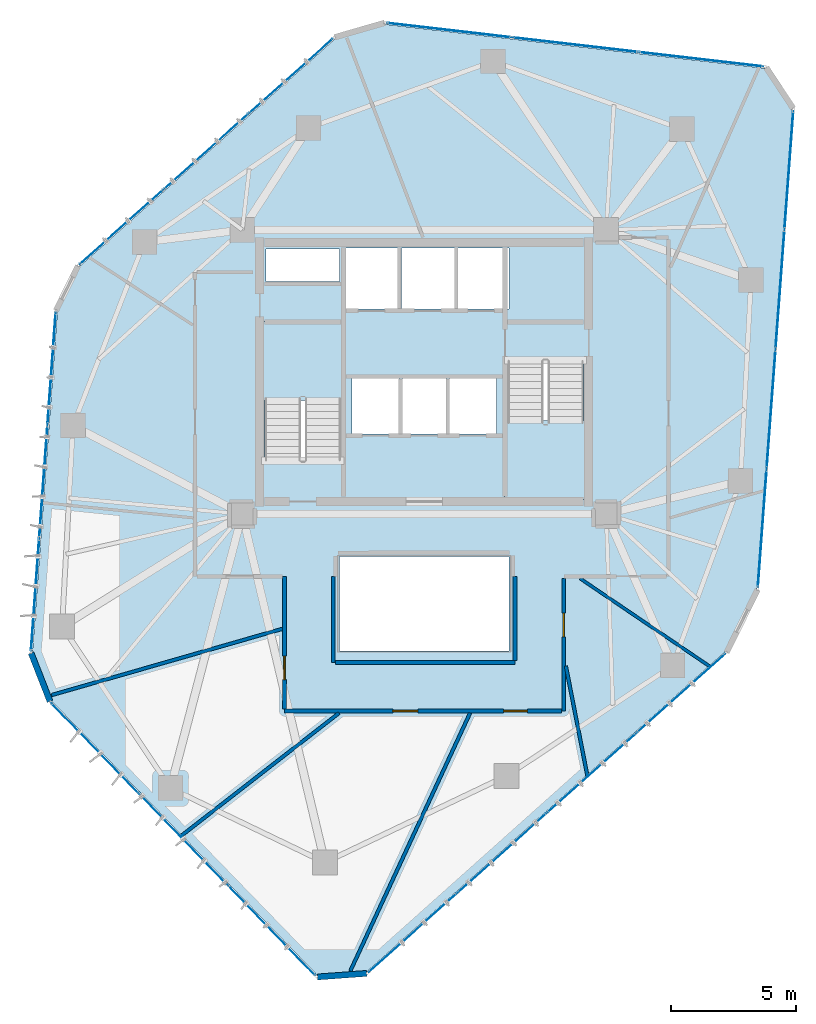
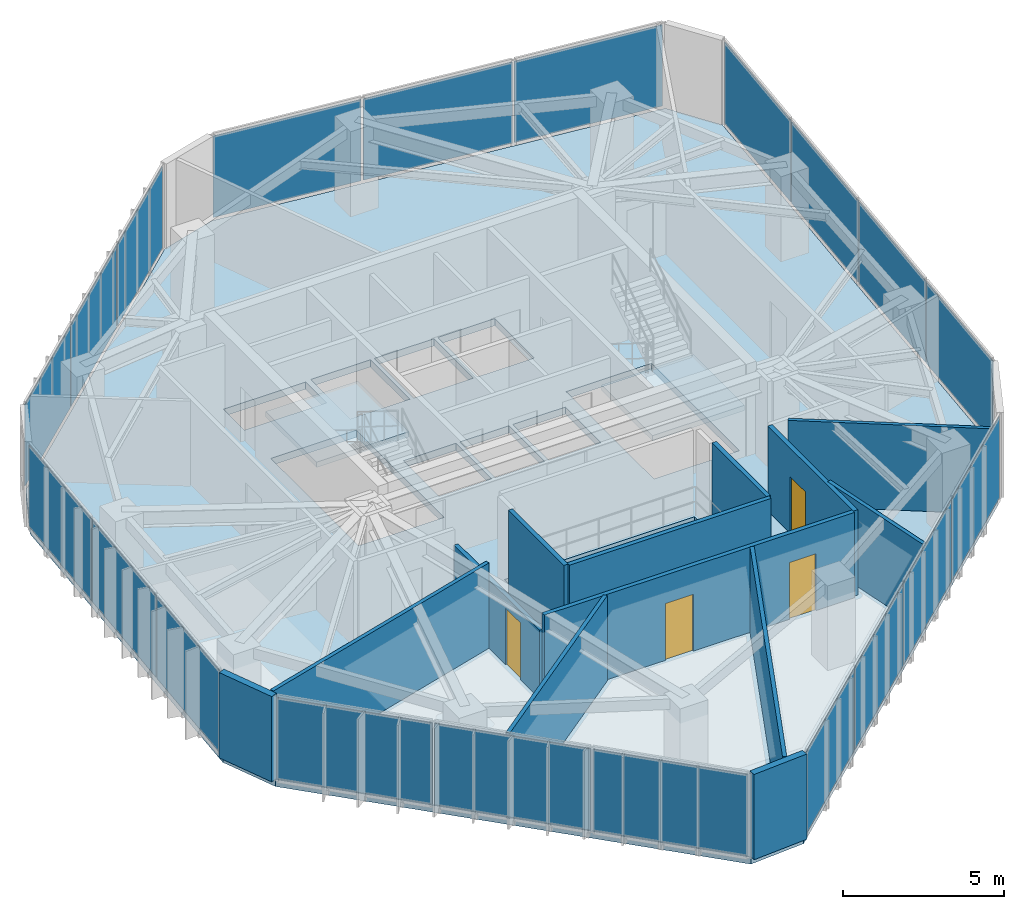
# One storey, part 15 of 19: 20 plates, 13 walls, 4 doors, 3 slabs, 4 openings, 8 elements without a shape of their own.
"""IFC4 building model written with IfcOpenShell, lengths in metres."""

from ifc_helpers import new_model, si_unit, direction, frame, frame_2d, origin, origin_2d, place, context, subcontext, project, spatial, polyline, rectangle, outline, extrude, source, transform, mapped, material, layer, layer_set, type_object, type_shapes, element, fill, aggregate, save


model = new_model("IFC4")

# Units and contexts
model_context = context("Model", 3, precision=1e-05, world=origin(), true_north=direction((0.0, 1.0)))
body_context = subcontext(model_context, "Body", "Model", "MODEL_VIEW")
ifc_project = project(units=[si_unit("LENGTHUNIT", "METRE"), si_unit("AREAUNIT", "SQUARE_METRE"), si_unit("VOLUMEUNIT", "CUBIC_METRE"), si_unit("PLANEANGLEUNIT", "RADIAN"), si_unit("MASSUNIT", "GRAM", prefix="KILO")], contexts=[model_context])

# Site, building, storey
site_placement = place(None, origin())
site = spatial("IfcSite", under=ifc_project, at=site_placement, CompositionType="ELEMENT")
building_placement = place(site_placement, origin())
building = spatial("IfcBuilding", under=site, at=building_placement, Name="Talar Marvaseh", CompositionType="ELEMENT")
storey_placement = place(building_placement, frame((0.0, 0.0, 222.199951171875)))
storey = spatial("IfcBuildingStorey", under=building, at=storey_placement, Name="L58", CompositionType="ELEMENT", Elevation=222.199951171875)

# Stair, slab
ifc_material_1 = material(Name="Concrete C40/50", Category="concrete")
stair_type = type_object("IfcStairType", Name="Reinforced Concrete High-Rise Exit Stair Type C", PredefinedType="HALF_TURN_STAIR", material=ifc_material_1)
stair_1_placement = place(storey_placement, origin())
stair_1 = element("IfcStair", 1, at=stair_1_placement, inside=storey, type_object=stair_type, Name="L58 Tower West Core Exit Stair", PredefinedType="HALF_TURN_STAIR")
ifc_layer_1 = layer(ifc_material_1, 0.199951171875)
ifc_layer_set_1 = layer_set([ifc_layer_1], Name="Concrete C40/50")
slab_type_1 = type_object("IfcSlabType", Name="Reinforced Concrete Stair Half-Landing Slab 200", PredefinedType="LANDING", material=ifc_layer_set_1)
slab_1_placement = place(storey_placement, frame((0.0, 0.0, 1.550048828125)))
slab_1 = element("IfcSlab", 2, at=slab_1_placement, type_object=slab_type_1, Name="ST-1 landing 1", PredefinedType="LANDING", context=body_context, shape_type="SweptSolid", body=[
    extrude(outline(polyline([(22.780029296875, 30.050048828125), (22.780029296875, 33.219970703125), (19.47998046875, 33.219970703125), (19.47998046875, 30.050048828125), (22.780029296875, 30.050048828125)])), origin(), (0.0, 0.0, 1.0), 0.199951171875),
])
aggregate(stair_1, [slab_1])

stair_2_placement = place(storey_placement, origin())
stair_2 = element("IfcStair", 3, at=stair_2_placement, inside=storey, type_object=stair_type, Name="L58 Tower East Core Exit Stair", PredefinedType="HALF_TURN_STAIR")
slab_2_placement = place(storey_placement, frame((0.0, 0.0, 1.550048828125)))
slab_2 = element("IfcSlab", 4, at=slab_2_placement, type_object=slab_type_1, Name="ST-2 landing 1", PredefinedType="LANDING", context=body_context, shape_type="SweptSolid", body=[
    extrude(outline(polyline([(29.219970703125, 29.25), (29.219970703125, 26.080078125), (32.52001953125, 26.080078125), (32.52001953125, 29.25), (29.219970703125, 29.25)])), origin(), (0.0, 0.0, 1.0), 0.199951171875),
])
aggregate(stair_2, [slab_2])

# Slab
ifc_layer_2 = layer(ifc_material_1, 0.27001953125)
ifc_layer_set_2 = layer_set([ifc_layer_2], Name="Concrete C40/50")
slab_type_2 = type_object("IfcSlabType", Name="Structural Suspended Floor Slab 270", PredefinedType="FLOOR", material=ifc_layer_set_2)
slab_3_placement = place(storey_placement, frame((0.0, 0.0, -0.27001953125)))
element("IfcSlab", 5, at=slab_3_placement, inside=storey, type_object=slab_type_2, Name="L58 Tower Floor Slab", PredefinedType="FLOOR", context=body_context, shape_type="SweptSolid", body=[
    extrude(outline(polyline([(23.689453125, 7.128662109375), (21.716796875, 6.984619140625), (11.04296875, 18.000732421875), (10.28173828125, 19.945556640625), (11.283203125, 33.640869140625), (12.169189453125, 35.437255859375), (22.424560546875, 44.56884765625), (24.430908203125, 45.14892578125), (39.66845703125, 43.386962890625), (40.7548828125, 41.734375), (39.322509765625, 22.49951171875), (38.077392578125, 19.974609375), (23.689453125, 7.128662109375)]), holes=[polyline([(22.659912109375, 27.64990234375), (22.659912109375, 33.10009765625), (19.60009765625, 33.10009765625), (19.60009765625, 27.64990234375), (22.659912109375, 27.64990234375)]), polyline([(29.340087890625, 31.64990234375), (29.340087890625, 26.199951171875), (32.39990234375, 26.199951171875), (32.39990234375, 31.64990234375), (29.340087890625, 31.64990234375)]), polyline([(22.800048828125, 33.719970703125), (24.93994140625, 33.719970703125), (24.93994140625, 36.179931640625), (22.800048828125, 36.179931640625), (22.800048828125, 33.719970703125)]), polyline([(25.080078125, 33.719970703125), (27.219970703125, 33.719970703125), (27.219970703125, 36.179931640625), (25.080078125, 36.179931640625), (25.080078125, 33.719970703125)]), polyline([(27.360107421875, 33.719970703125), (29.39990234375, 33.719970703125), (29.39990234375, 36.179931640625), (27.360107421875, 36.179931640625), (27.360107421875, 33.719970703125)]), polyline([(23.10009765625, 28.719970703125), (24.97998046875, 28.719970703125), (24.97998046875, 30.93994140625), (23.10009765625, 30.93994140625), (23.10009765625, 28.719970703125)]), polyline([(25.1201171875, 28.719970703125), (26.8798828125, 28.719970703125), (26.8798828125, 30.93994140625), (25.1201171875, 30.93994140625), (25.1201171875, 28.719970703125)]), polyline([(27.02001953125, 28.719970703125), (28.89990234375, 28.719970703125), (28.89990234375, 30.93994140625), (27.02001953125, 30.93994140625), (27.02001953125, 28.719970703125)]), polyline([(19.659912109375, 34.840087890625), (22.60009765625, 34.840087890625), (22.60009765625, 36.139892578125), (19.659912109375, 36.139892578125), (19.659912109375, 34.840087890625)]), polyline([(22.60009765625, 20.0), (29.39990234375, 20.0), (29.39990234375, 23.800048828125), (22.60009765625, 23.800048828125), (22.60009765625, 20.0)])]), origin(), (0.0, 0.0, 1.0), 0.27001953125),
])

# Curtain wall, plates
ifc_material_2 = material(Name="Architectural Aluminium", Category="aluminium")
ifc_layer_3 = layer(ifc_material_2, 0.18994140625)
ifc_layer_set_3 = layer_set([ifc_layer_3], Name="Architectural Aluminium")
curtain_wall_type = type_object("IfcCurtainWallType", Name="Unitised Solar Atelier Curtain Wall Z3", PredefinedType="NOTDEFINED", material=ifc_layer_set_3)
curtain_wall_1_placement = place(storey_placement, origin())
curtain_wall_1 = element("IfcCurtainWall", 6, at=curtain_wall_1_placement, inside=storey, type_object=curtain_wall_type, Name="L58 Unitised Solar Atelier Curtain Wall Z3", PredefinedType="NOTDEFINED")
ifc_material_3 = material(Name="Laminated Low-E Solar Glass", Category="glass")
ifc_layer_4 = layer(ifc_material_3, 0.028076171875)
ifc_layer_set_4 = layer_set([ifc_layer_4], Name="Laminated Low-E Solar Glass")
plate_type = type_object("IfcPlateType", Name="Double-Glazed Low-E Vision Curtain Panel 28", PredefinedType="CURTAIN_PANEL", material=ifc_layer_set_4)
shared_shape_1 = source(origin(), body_context, "Body", "SweptSolid", [
    extrude(rectangle(XDim=5.00048828125, YDim=0.028076171875, at=origin_2d()), origin(), (0.0, 0.0, 1.0), 3.080078125),
])
plate_1_placement = place(storey_placement, frame((19.8818359375, 8.79248046875, 0.074951171875), z_axis=(0.0, 0.0, 1.0), x_axis=(-0.695864261431, 0.718173328427, 0.0)))
plate_1 = element("IfcPlate", 7, at=plate_1_placement, type_object=plate_type, Name="CW-Z3 panel 1.1", PredefinedType="CURTAIN_PANEL", context=body_context, shape_type="MappedRepresentation", body=[
    mapped(shared_shape_1, transform((0.0, 0.0, 0.0), x_axis=(1.0, 0.0, 0.0), y_axis=(0.0, 1.0, 0.0), z_axis=(0.0, 0.0, 1.0), scale=1.0)),
])
plate_2_placement = place(storey_placement, frame((12.7919921875, 16.109619140625, 0.074951171875), z_axis=(0.0, 0.0, 1.0), x_axis=(-0.695864261431, 0.718173328427, 0.0)))
plate_2 = element("IfcPlate", 8, at=plate_2_placement, type_object=plate_type, Name="CW-Z3 panel 3.1", PredefinedType="CURTAIN_PANEL", context=body_context, shape_type="MappedRepresentation", body=[
    mapped(shared_shape_1, transform((0.0, 0.0, 0.0), x_axis=(1.0, 0.0, 0.0), y_axis=(0.0, 1.0, 0.0), z_axis=(0.0, 0.0, 1.0), scale=1.0)),
])

curtain_wall_2_placement = place(storey_placement, origin())
curtain_wall_2 = element("IfcCurtainWall", 9, at=curtain_wall_2_placement, inside=storey, type_object=curtain_wall_type, Name="L58 Unitised Solar Atelier Curtain Wall Z3", PredefinedType="NOTDEFINED")
plate_3_placement = place(storey_placement, frame((26.99609375, 44.91259765625, 0.074951171875), z_axis=(0.0, 0.0, 1.0), x_axis=(0.993380496378, -0.114870315646, 0.0)))
plate_3 = element("IfcPlate", 10, at=plate_3_placement, type_object=plate_type, Name="CW-Z3 panel 1.1", PredefinedType="CURTAIN_PANEL", context=body_context, shape_type="MappedRepresentation", body=[
    mapped(shared_shape_1, transform((0.0, 0.0, 0.0), x_axis=(1.0, 0.0, 0.0), y_axis=(0.0, 1.0, 0.0), z_axis=(0.0, 0.0, 1.0), scale=1.0)),
])
plate_4_placement = place(storey_placement, frame((37.1171875, 43.742431640625, 0.074951171875), z_axis=(0.0, 0.0, 1.0), x_axis=(0.993380496378, -0.114870315646, 0.0)))
plate_4 = element("IfcPlate", 11, at=plate_4_placement, type_object=plate_type, Name="CW-Z3 panel 3.1", PredefinedType="CURTAIN_PANEL", context=body_context, shape_type="MappedRepresentation", body=[
    mapped(shared_shape_1, transform((0.0, 0.0, 0.0), x_axis=(1.0, 0.0, 0.0), y_axis=(0.0, 1.0, 0.0), z_axis=(0.0, 0.0, 1.0), scale=1.0)),
])

# Plate
shared_shape_2 = source(origin(), body_context, "Body", "SweptSolid", [
    extrude(rectangle(XDim=5.0380859375, YDim=0.028076171875, at=origin_2d()), origin(), (0.0, 0.0, 1.0), 3.080078125),
])
plate_5_placement = place(storey_placement, frame((16.3369140625, 12.450927734375, 0.074951171875), z_axis=(0.0, 0.0, 1.0), x_axis=(-0.695864261431, 0.718173328427, 0.0)))
plate_5 = element("IfcPlate", 12, at=plate_5_placement, type_object=plate_type, Name="CW-Z3 panel 2.1", PredefinedType="CURTAIN_PANEL", context=body_context, shape_type="MappedRepresentation", body=[
    mapped(shared_shape_2, transform((0.0, 0.0, 0.0), x_axis=(1.0, 0.0, 0.0), y_axis=(0.0, 1.0, 0.0), z_axis=(0.0, 0.0, 1.0), scale=1.0)),
])

aggregate(curtain_wall_1, [plate_1, plate_5, plate_2])

plate_6_placement = place(storey_placement, frame((32.056640625, 44.327392578125, 0.074951171875), z_axis=(0.0, 0.0, 1.0), x_axis=(0.993380496378, -0.114870315646, 0.0)))
plate_6 = element("IfcPlate", 13, at=plate_6_placement, type_object=plate_type, Name="CW-Z3 panel 2.1", PredefinedType="CURTAIN_PANEL", context=body_context, shape_type="MappedRepresentation", body=[
    mapped(shared_shape_2, transform((0.0, 0.0, 0.0), x_axis=(1.0, 0.0, 0.0), y_axis=(0.0, 1.0, 0.0), z_axis=(0.0, 0.0, 1.0), scale=1.0)),
])

aggregate(curtain_wall_2, [plate_3, plate_6, plate_4])

# Curtain wall, plates
curtain_wall_3_placement = place(storey_placement, origin())
curtain_wall_3 = element("IfcCurtainWall", 14, at=curtain_wall_3_placement, inside=storey, type_object=curtain_wall_type, Name="L58 Unitised Solar Atelier Curtain Wall Z3", PredefinedType="NOTDEFINED")
shared_shape_3 = source(origin(), body_context, "Body", "SweptSolid", [
    extrude(rectangle(XDim=4.46484375, YDim=0.028076171875, at=origin_2d()), origin(), (0.0, 0.0, 1.0), 3.080078125),
])
plate_7_placement = place(storey_placement, frame((10.390380859375, 22.251220703125, 0.074951171875), z_axis=(0.0, 0.0, 1.0), x_axis=(0.072925816354, 0.99733736785, 0.0)))
plate_7 = element("IfcPlate", 15, at=plate_7_placement, type_object=plate_type, Name="CW-Z3 panel 1.1", PredefinedType="CURTAIN_PANEL", context=body_context, shape_type="MappedRepresentation", body=[
    mapped(shared_shape_3, transform((0.0, 0.0, 0.0), x_axis=(1.0, 0.0, 0.0), y_axis=(0.0, 1.0, 0.0), z_axis=(0.0, 0.0, 1.0), scale=1.0)),
])
plate_8_placement = place(storey_placement, frame((11.05517578125, 31.343994140625, 0.074951171875), z_axis=(0.0, 0.0, 1.0), x_axis=(0.072925816354, 0.99733736785, 0.0)))
plate_8 = element("IfcPlate", 16, at=plate_8_placement, type_object=plate_type, Name="CW-Z3 panel 3.1", PredefinedType="CURTAIN_PANEL", context=body_context, shape_type="MappedRepresentation", body=[
    mapped(shared_shape_3, transform((0.0, 0.0, 0.0), x_axis=(1.0, 0.0, 0.0), y_axis=(0.0, 1.0, 0.0), z_axis=(0.0, 0.0, 1.0), scale=1.0)),
])

curtain_wall_4_placement = place(storey_placement, origin())
curtain_wall_4 = element("IfcCurtainWall", 17, at=curtain_wall_4_placement, inside=storey, type_object=curtain_wall_type, Name="L58 Unitised Solar Atelier Curtain Wall Z3", PredefinedType="NOTDEFINED")
plate_9_placement = place(storey_placement, frame((13.8525390625, 37.0166015625, 0.074951171875), z_axis=(0.0, 0.0, 1.0), x_axis=(0.74684494069, 0.664998221476, 0.0)))
plate_9 = element("IfcPlate", 18, at=plate_9_placement, type_object=plate_type, Name="CW-Z3 panel 1.1", PredefinedType="CURTAIN_PANEL", context=body_context, shape_type="MappedRepresentation", body=[
    mapped(shared_shape_3, transform((0.0, 0.0, 0.0), x_axis=(1.0, 0.0, 0.0), y_axis=(0.0, 1.0, 0.0), z_axis=(0.0, 0.0, 1.0), scale=1.0)),
])
plate_10_placement = place(storey_placement, frame((20.661376953125, 43.079345703125, 0.074951171875), z_axis=(0.0, 0.0, 1.0), x_axis=(0.74684494069, 0.664998221476, 0.0)))
plate_10 = element("IfcPlate", 19, at=plate_10_placement, type_object=plate_type, Name="CW-Z3 panel 3.1", PredefinedType="CURTAIN_PANEL", context=body_context, shape_type="MappedRepresentation", body=[
    mapped(shared_shape_3, transform((0.0, 0.0, 0.0), x_axis=(1.0, 0.0, 0.0), y_axis=(0.0, 1.0, 0.0), z_axis=(0.0, 0.0, 1.0), scale=1.0)),
])

# Plate
shared_shape_4 = source(origin(), body_context, "Body", "SweptSolid", [
    extrude(rectangle(XDim=4.502197265625, YDim=0.028076171875, at=origin_2d()), origin(), (0.0, 0.0, 1.0), 3.080078125),
])
plate_11_placement = place(storey_placement, frame((10.72265625, 26.797607421875, 0.074951171875), z_axis=(0.0, 0.0, 1.0), x_axis=(0.072925816354, 0.99733736785, 0.0)))
plate_11 = element("IfcPlate", 20, at=plate_11_placement, type_object=plate_type, Name="CW-Z3 panel 2.1", PredefinedType="CURTAIN_PANEL", context=body_context, shape_type="MappedRepresentation", body=[
    mapped(shared_shape_4, transform((0.0, 0.0, 0.0), x_axis=(1.0, 0.0, 0.0), y_axis=(0.0, 1.0, 0.0), z_axis=(0.0, 0.0, 1.0), scale=1.0)),
])

aggregate(curtain_wall_3, [plate_7, plate_11, plate_8])

plate_12_placement = place(storey_placement, frame((17.2568359375, 40.0478515625, 0.074951171875), z_axis=(0.0, 0.0, 1.0), x_axis=(0.74684494069, 0.664998221476, 0.0)))
plate_12 = element("IfcPlate", 21, at=plate_12_placement, type_object=plate_type, Name="CW-Z3 panel 2.1", PredefinedType="CURTAIN_PANEL", context=body_context, shape_type="MappedRepresentation", body=[
    mapped(shared_shape_4, transform((0.0, 0.0, 0.0), x_axis=(1.0, 0.0, 0.0), y_axis=(0.0, 1.0, 0.0), z_axis=(0.0, 0.0, 1.0), scale=1.0)),
])

aggregate(curtain_wall_4, [plate_9, plate_12, plate_10])

# Curtain wall, plates
curtain_wall_5_placement = place(storey_placement, origin())
curtain_wall_5 = element("IfcCurtainWall", 22, at=curtain_wall_5_placement, inside=storey, type_object=curtain_wall_type, Name="L58 Unitised Solar Atelier Curtain Wall Z3", PredefinedType="NOTDEFINED")
shared_shape_5 = source(origin(), body_context, "Body", "SweptSolid", [
    extrude(rectangle(XDim=4.70947265625, YDim=0.028076171875, at=origin_2d()), origin(), (0.0, 0.0, 1.0), 3.080078125),
])
plate_13_placement = place(storey_placement, frame((40.63427734375, 39.306884765625, 0.074951171875), z_axis=(0.0, 0.0, 1.0), x_axis=(-0.074263171764, -0.997238678211, 0.0)))
plate_13 = element("IfcPlate", 23, at=plate_13_placement, type_object=plate_type, Name="CW-Z3 panel 1.1", PredefinedType="CURTAIN_PANEL", context=body_context, shape_type="MappedRepresentation", body=[
    mapped(shared_shape_5, transform((0.0, 0.0, 0.0), x_axis=(1.0, 0.0, 0.0), y_axis=(0.0, 1.0, 0.0), z_axis=(0.0, 0.0, 1.0), scale=1.0)),
])
plate_14_placement = place(storey_placement, frame((39.562744140625, 24.91796875, 0.074951171875), z_axis=(0.0, 0.0, 1.0), x_axis=(-0.074263171764, -0.997238678211, 0.0)))
plate_14 = element("IfcPlate", 24, at=plate_14_placement, type_object=plate_type, Name="CW-Z3 panel 4.1", PredefinedType="CURTAIN_PANEL", context=body_context, shape_type="MappedRepresentation", body=[
    mapped(shared_shape_5, transform((0.0, 0.0, 0.0), x_axis=(1.0, 0.0, 0.0), y_axis=(0.0, 1.0, 0.0), z_axis=(0.0, 0.0, 1.0), scale=1.0)),
])

curtain_wall_6_placement = place(storey_placement, origin())
curtain_wall_6 = element("IfcCurtainWall", 25, at=curtain_wall_6_placement, inside=storey, type_object=curtain_wall_type, Name="L58 Unitised Solar Atelier Curtain Wall Z3", PredefinedType="NOTDEFINED")
plate_15_placement = place(storey_placement, frame((36.304931640625, 18.3115234375, 0.074951171875), z_axis=(0.0, 0.0, 1.0), x_axis=(-0.74595357556, -0.665997945274, 0.0)))
plate_15 = element("IfcPlate", 26, at=plate_15_placement, type_object=plate_type, Name="CW-Z3 panel 1.1", PredefinedType="CURTAIN_PANEL", context=body_context, shape_type="MappedRepresentation", body=[
    mapped(shared_shape_5, transform((0.0, 0.0, 0.0), x_axis=(1.0, 0.0, 0.0), y_axis=(0.0, 1.0, 0.0), z_axis=(0.0, 0.0, 1.0), scale=1.0)),
])
plate_16_placement = place(storey_placement, frame((25.5419921875, 8.7021484375, 0.074951171875), z_axis=(0.0, 0.0, 1.0), x_axis=(-0.74595357556, -0.665997945274, 0.0)))
plate_16 = element("IfcPlate", 27, at=plate_16_placement, type_object=plate_type, Name="CW-Z3 panel 4.1", PredefinedType="CURTAIN_PANEL", context=body_context, shape_type="MappedRepresentation", body=[
    mapped(shared_shape_5, transform((0.0, 0.0, 0.0), x_axis=(1.0, 0.0, 0.0), y_axis=(0.0, 1.0, 0.0), z_axis=(0.0, 0.0, 1.0), scale=1.0)),
])

# Plate
shared_shape_6 = source(origin(), body_context, "Body", "SweptSolid", [
    extrude(rectangle(XDim=4.7470703125, YDim=0.028076171875, at=origin_2d()), origin(), (0.0, 0.0, 1.0), 3.080078125),
])
type_shapes(plate_type, [shared_shape_1, shared_shape_2, shared_shape_3, shared_shape_4, shared_shape_5, shared_shape_6])
plate_17_placement = place(storey_placement, frame((40.277587890625, 34.516845703125, 0.074951171875), z_axis=(0.0, 0.0, 1.0), x_axis=(-0.074263171764, -0.997238678211, 0.0)))
plate_17 = element("IfcPlate", 28, at=plate_17_placement, type_object=plate_type, Name="CW-Z3 panel 2.1", PredefinedType="CURTAIN_PANEL", context=body_context, shape_type="MappedRepresentation", body=[
    mapped(shared_shape_6, transform((0.0, 0.0, 0.0), x_axis=(1.0, 0.0, 0.0), y_axis=(0.0, 1.0, 0.0), z_axis=(0.0, 0.0, 1.0), scale=1.0)),
])

plate_18_placement = place(storey_placement, frame((39.91943359375, 29.7080078125, 0.074951171875), z_axis=(0.0, 0.0, 1.0), x_axis=(-0.074263171764, -0.997238678211, 0.0)))
plate_18 = element("IfcPlate", 29, at=plate_18_placement, type_object=plate_type, Name="CW-Z3 panel 3.1", PredefinedType="CURTAIN_PANEL", context=body_context, shape_type="MappedRepresentation", body=[
    mapped(shared_shape_6, transform((0.0, 0.0, 0.0), x_axis=(1.0, 0.0, 0.0), y_axis=(0.0, 1.0, 0.0), z_axis=(0.0, 0.0, 1.0), scale=1.0)),
])

aggregate(curtain_wall_5, [plate_13, plate_17, plate_18, plate_14])

plate_19_placement = place(storey_placement, frame((32.721923828125, 15.112548828125, 0.074951171875), z_axis=(0.0, 0.0, 1.0), x_axis=(-0.74595357556, -0.665997945274, 0.0)))
plate_19 = element("IfcPlate", 30, at=plate_19_placement, type_object=plate_type, Name="CW-Z3 panel 2.1", PredefinedType="CURTAIN_PANEL", context=body_context, shape_type="MappedRepresentation", body=[
    mapped(shared_shape_6, transform((0.0, 0.0, 0.0), x_axis=(1.0, 0.0, 0.0), y_axis=(0.0, 1.0, 0.0), z_axis=(0.0, 0.0, 1.0), scale=1.0)),
])

plate_20_placement = place(storey_placement, frame((29.125, 11.901123046875, 0.074951171875), z_axis=(0.0, 0.0, 1.0), x_axis=(-0.74595357556, -0.665997945274, 0.0)))
plate_20 = element("IfcPlate", 31, at=plate_20_placement, type_object=plate_type, Name="CW-Z3 panel 3.1", PredefinedType="CURTAIN_PANEL", context=body_context, shape_type="MappedRepresentation", body=[
    mapped(shared_shape_6, transform((0.0, 0.0, 0.0), x_axis=(1.0, 0.0, 0.0), y_axis=(0.0, 1.0, 0.0), z_axis=(0.0, 0.0, 1.0), scale=1.0)),
])

aggregate(curtain_wall_6, [plate_15, plate_19, plate_20, plate_16])

# Walls
ifc_material_4 = material(Name="Precast concrete C45/55", Category="concrete")
ifc_layer_5 = layer(ifc_material_4, 0.239990234375)
ifc_layer_set_5 = layer_set([ifc_layer_5], Name="Precast concrete C45/55")
wall_type_1 = type_object("IfcWallType", Name="Chamfered Hexagonal Corner Pier Wall Z3 240", PredefinedType="SOLIDWALL", material=ifc_layer_set_5)
wall_1_placement = place(storey_placement, frame((23.69384765625, 7.06884765625, 0.0), z_axis=(0.0, 0.0, 1.0), x_axis=(-0.99734466801, -0.072825910164, 0.0)))
element("IfcWall", 32, at=wall_1_placement, inside=storey, type_object=wall_type_1, Name="L58 Chamfered Corner Limestone Pier 1", PredefinedType="SOLIDWALL", context=body_context, shape_type="SweptSolid", body=[
    extrude(rectangle(XDim=1.97802734375, YDim=0.239990234375, at=frame_2d((0.989013671875, 0.0))), origin(), (0.0, 0.0, 1.0), 3.22998046875),
])
wall_2_placement = place(storey_placement, frame((10.987060546875, 17.97900390625, 0.0), z_axis=(0.0, 0.0, 1.0), x_axis=(-0.364527180155, 0.931192748537, 0.0)))
element("IfcWall", 33, at=wall_2_placement, inside=storey, type_object=wall_type_1, Name="L58 Chamfered Corner Limestone Pier 2", PredefinedType="SOLIDWALL", context=body_context, shape_type="SweptSolid", body=[
    extrude(rectangle(XDim=2.08837890625, YDim=0.239990234375, at=frame_2d((1.044189453125, 0.0))), origin(), (0.0, 0.0, 1.0), 3.22998046875),
])

# Wall, opening, door
ifc_material_5 = material(Name="Gypsum Board Partition Assembly")
ifc_layer_6 = layer(ifc_material_5, 0.155029296875)
ifc_layer_set_6 = layer_set([ifc_layer_6], Name="Gypsum Board Partition Assembly")
wall_type_2 = type_object("IfcWallType", Name="Corridor Fire-Rated Acoustic Partition 155", PredefinedType="PARTITIONING", material=ifc_layer_set_6)
wall_3_placement = place(storey_placement, frame((31.60009765625, 22.91650390625, 0.0), z_axis=(0.0, 0.0, 1.0), x_axis=(0.0, -1.0, 0.0)))
wall_3 = element("IfcWall", 34, at=wall_3_placement, inside=storey, type_object=wall_type_2, Name="L58 Interior Partition Wall", PredefinedType="PARTITIONING", context=body_context, shape_type="SweptSolid", body=[
    extrude(rectangle(XDim=5.31640625, YDim=0.155029296875, at=frame_2d((2.658203125, 0.0))), origin(), (0.0, 0.0, 1.0), 3.22998046875),
])
opening_1_placement = place(wall_3_placement, frame((1.390869140625, 0.0, 0.0)))
opening_1 = element("IfcOpeningElement", 35, at=opening_1_placement, cuts=wall_3, Name="Opening DR-WC095", PredefinedType="OPENING", context=body_context, shape_type="SweptSolid", body=[
    extrude(rectangle(XDim=0.949951171875, YDim=2.14990234375, at=frame_2d((0.47509765625, 1.074951171875))), frame((0.0, 0.08740234375, 0.0), z_axis=(0.0, -1.0, 0.0), x_axis=(1.0, 0.0, 0.0)), (0.0, 0.0, 1.0), 0.175048828125),
])
ifc_material_6 = material(Name="Acoustic Engineered Oak Timber", Category="wood")
door_type_1 = type_object("IfcDoorType", Name="Washroom and Service Room Door 950x2150", OperationType="NOTDEFINED", PredefinedType="DOOR", material=ifc_material_6)
shared_shape_7 = source(origin(), body_context, "Body", "SweptSolid", [
    extrude(rectangle(XDim=0.949951171875, YDim=2.14990234375, at=frame_2d((0.47509765625, 1.074951171875))), frame((0.0, 0.02490234375, 0.0), z_axis=(0.0, -1.0, 0.0), x_axis=(1.0, 0.0, 0.0)), (0.0, 0.0, 1.0), 0.050048828125),
])
type_shapes(door_type_1, [shared_shape_7])
door_1_placement = place(opening_1_placement, origin())
door_1 = element("IfcDoor", 36, at=door_1_placement, inside=storey, type_object=door_type_1, Name="L58 WC Public Washrooms Door", OperationType="SINGLE_SWING_LEFT", OverallHeight=2.14990234375, OverallWidth=0.949951171875, PredefinedType="DOOR", context=body_context, shape_type="MappedRepresentation", body=[
    mapped(shared_shape_7, transform((0.0, 0.0, 0.0), x_axis=(1.0, 0.0, 0.0), y_axis=(0.0, 1.0, 0.0), z_axis=(0.0, 0.0, 1.0), scale=1.0)),
])
fill(opening_1, door_1)

# Wall, openings, doors
wall_4_placement = place(storey_placement, frame((31.5166015625, 17.60009765625, 0.0), z_axis=(0.0, 0.0, 1.0), x_axis=(-1.0, 0.0, 0.0)))
wall_4 = element("IfcWall", 37, at=wall_4_placement, inside=storey, type_object=wall_type_2, Name="L58 Interior Partition Wall", PredefinedType="PARTITIONING", context=body_context, shape_type="SweptSolid", body=[
    extrude(rectangle(XDim=11.11669921875, YDim=0.155029296875, at=frame_2d((5.558349609375, 0.0))), origin(), (0.0, 0.0, 1.0), 3.22998046875),
])
opening_2_placement = place(wall_4_placement, frame((5.77490234375, 0.0, 0.0)))
opening_2 = element("IfcOpeningElement", 38, at=opening_2_placement, cuts=wall_4, Name="Opening DR-RM100", PredefinedType="OPENING", context=body_context, shape_type="SweptSolid", body=[
    extrude(rectangle(XDim=1.0, YDim=2.14990234375, at=frame_2d((0.5, 1.074951171875))), frame((0.0, 0.08740234375, 0.0), z_axis=(0.0, -1.0, 0.0), x_axis=(1.0, 0.0, 0.0)), (0.0, 0.0, 1.0), 0.175048828125),
])
opening_3_placement = place(wall_4_placement, frame((1.3798828125, 0.0, 0.0)))
opening_3 = element("IfcOpeningElement", 39, at=opening_3_placement, cuts=wall_4, Name="Opening DR-WC095", PredefinedType="OPENING", context=body_context, shape_type="SweptSolid", body=[
    extrude(rectangle(XDim=0.949951171875, YDim=2.14990234375, at=frame_2d((0.47509765625, 1.074951171875))), frame((0.0, 0.08740234375, 0.0), z_axis=(0.0, -1.0, 0.0), x_axis=(1.0, 0.0, 0.0)), (0.0, 0.0, 1.0), 0.175048828125),
])
door_2_placement = place(opening_3_placement, origin())
door_2 = element("IfcDoor", 40, at=door_2_placement, inside=storey, type_object=door_type_1, Name="L58 Collection Conservation Store Door", OperationType="SINGLE_SWING_RIGHT", OverallHeight=2.14990234375, OverallWidth=0.949951171875, PredefinedType="DOOR", context=body_context, shape_type="MappedRepresentation", body=[
    mapped(shared_shape_7, transform((0.0, 0.0, 0.0), x_axis=(1.0, 0.0, 0.0), y_axis=(0.0, 1.0, 0.0), z_axis=(0.0, 0.0, 1.0), scale=1.0)),
])
fill(opening_3, door_2)
door_type_2 = type_object("IfcDoorType", Name="Corridor Fire-Rated Gallery Door 1000x2150", OperationType="NOTDEFINED", PredefinedType="DOOR", material=ifc_material_6)
shared_shape_8 = source(origin(), body_context, "Body", "SweptSolid", [
    extrude(rectangle(XDim=1.0, YDim=2.14990234375, at=frame_2d((0.5, 1.074951171875))), frame((0.0, 0.02490234375, 0.0), z_axis=(0.0, -1.0, 0.0), x_axis=(1.0, 0.0, 0.0)), (0.0, 0.0, 1.0), 0.050048828125),
])
type_shapes(door_type_2, [shared_shape_8])
door_3_placement = place(opening_2_placement, origin())
door_3 = element("IfcDoor", 41, at=door_3_placement, inside=storey, type_object=door_type_2, Name="L58 Visitor Orientation Foyer Door", OperationType="SINGLE_SWING_LEFT", OverallHeight=2.14990234375, OverallWidth=1.0, PredefinedType="DOOR", context=body_context, shape_type="MappedRepresentation", body=[
    mapped(shared_shape_8, transform((0.0, 0.0, 0.0), x_axis=(1.0, 0.0, 0.0), y_axis=(0.0, 1.0, 0.0), z_axis=(0.0, 0.0, 1.0), scale=1.0)),
])
fill(opening_2, door_3)

# Wall, opening, door
wall_5_placement = place(storey_placement, frame((20.39990234375, 17.68359375, 0.0), z_axis=(0.0, 0.0, 1.0), x_axis=(0.0, 1.0, 0.0)))
wall_5 = element("IfcWall", 42, at=wall_5_placement, inside=storey, type_object=wall_type_2, Name="L58 Interior Partition Wall", PredefinedType="PARTITIONING", context=body_context, shape_type="SweptSolid", body=[
    extrude(rectangle(XDim=5.31640625, YDim=0.155029296875, at=frame_2d((2.658203125, 0.0))), origin(), (0.0, 0.0, 1.0), 2.589111328125),
])
opening_4_placement = place(wall_5_placement, frame((1.17041015625, 0.0, 0.0)))
opening_4 = element("IfcOpeningElement", 43, at=opening_4_placement, cuts=wall_5, Name="Opening DR-WC095", PredefinedType="OPENING", context=body_context, shape_type="SweptSolid", body=[
    extrude(rectangle(XDim=0.949951171875, YDim=2.14990234375, at=frame_2d((0.47509765625, 1.074951171875))), frame((0.0, 0.08740234375, 0.0), z_axis=(0.0, -1.0, 0.0), x_axis=(1.0, 0.0, 0.0)), (0.0, 0.0, 1.0), 0.175048828125),
])
door_4_placement = place(opening_4_placement, origin())
door_4 = element("IfcDoor", 44, at=door_4_placement, inside=storey, type_object=door_type_1, Name="L58 Rare Books Archive Room Door", OperationType="SINGLE_SWING_RIGHT", OverallHeight=2.14990234375, OverallWidth=0.949951171875, PredefinedType="DOOR", context=body_context, shape_type="MappedRepresentation", body=[
    mapped(shared_shape_7, transform((0.0, 0.0, 0.0), x_axis=(1.0, 0.0, 0.0), y_axis=(0.0, 1.0, 0.0), z_axis=(0.0, 0.0, 1.0), scale=1.0)),
])
fill(opening_4, door_4)

# Walls
wall_6_placement = place(storey_placement, frame((22.35009765625, 23.0, 0.0), z_axis=(0.0, 0.0, 1.0), x_axis=(0.0, -1.0, 0.0)))
element("IfcWall", 45, at=wall_6_placement, inside=storey, type_object=wall_type_2, Name="L58 Interior Partition Wall", PredefinedType="PARTITIONING", context=body_context, shape_type="SweptSolid", body=[
    extrude(rectangle(XDim=3.449951171875, YDim=0.155029296875, at=frame_2d((1.72509765625, 0.0))), origin(), (0.0, 0.0, 1.0), 3.22998046875),
])
wall_7_placement = place(storey_placement, frame((22.43359375, 19.550048828125, 0.0), z_axis=(0.0, 0.0, 1.0), x_axis=(1.0, 0.0, 0.0)))
element("IfcWall", 46, at=wall_7_placement, inside=storey, type_object=wall_type_2, Name="L58 Interior Partition Wall", PredefinedType="PARTITIONING", context=body_context, shape_type="SweptSolid", body=[
    extrude(rectangle(XDim=7.21630859375, YDim=0.155029296875, at=frame_2d((3.608154296875, 0.0))), origin(), (0.0, 0.0, 1.0), 3.22998046875),
])
wall_8_placement = place(storey_placement, frame((29.64990234375, 19.633544921875, 0.0), z_axis=(0.0, 0.0, 1.0), x_axis=(0.0, 1.0, 0.0)))
element("IfcWall", 47, at=wall_8_placement, inside=storey, type_object=wall_type_2, Name="L58 Interior Partition Wall", PredefinedType="PARTITIONING", context=body_context, shape_type="SweptSolid", body=[
    extrude(rectangle(XDim=3.366455078125, YDim=0.155029296875, at=frame_2d((1.68310546875, 0.0))), origin(), (0.0, 0.0, 1.0), 3.22998046875),
])
ifc_layer_7 = layer(ifc_material_5, 0.1201171875)
ifc_layer_set_7 = layer_set([ifc_layer_7], Name="Gypsum Board Partition Assembly")
wall_type_3 = type_object("IfcWallType", Name="Demountable Studio Room Partition 120", PredefinedType="PARTITIONING", material=ifc_layer_set_7)
wall_9_placement = place(storey_placement, frame((32.253173828125, 22.91650390625, 0.0), z_axis=(0.0, 0.0, 1.0), x_axis=(0.827611455948, -0.561301414557, 0.0)))
element("IfcWall", 48, at=wall_9_placement, inside=storey, type_object=wall_type_3, Name="L58 Interior Partition Wall", PredefinedType="PARTITIONING", context=body_context, shape_type="SweptSolid", body=[
    extrude(rectangle(XDim=6.299072265625, YDim=0.1201171875, at=frame_2d((3.1494140625, 0.0))), origin(), (0.0, 0.0, 1.0), 3.22998046875),
])
ifc_layer_8 = layer(ifc_material_5, 0.135009765625)
ifc_layer_set_8 = layer_set([ifc_layer_8], Name="Gypsum Board Partition Assembly")
wall_type_4 = type_object("IfcWallType", Name="Gallery High-Acoustic Partition 135", PredefinedType="PARTITIONING", material=ifc_layer_set_8)
wall_10_placement = place(storey_placement, frame((20.31640625, 20.89599609375, 0.0), z_axis=(0.0, 0.0, 1.0), x_axis=(-0.961171397993, -0.275952067723, 0.0)))
element("IfcWall", 49, at=wall_10_placement, inside=storey, type_object=wall_type_4, Name="L58 Interior Partition Wall", PredefinedType="PARTITIONING", context=body_context, shape_type="SweptSolid", body=[
    extrude(rectangle(XDim=9.63818359375, YDim=0.135009765625, at=frame_2d((4.819091796875, 0.0))), origin(), (0.0, 0.0, 1.0), 3.22998046875),
])
wall_11_placement = place(storey_placement, frame((22.582763671875, 17.5166015625, 0.0), z_axis=(0.0, 0.0, 1.0), x_axis=(-0.789213091033, -0.614119448431, 0.0)))
element("IfcWall", 50, at=wall_11_placement, inside=storey, type_object=wall_type_4, Name="L58 Interior Partition Wall", PredefinedType="PARTITIONING", context=body_context, shape_type="SweptSolid", body=[
    extrude(rectangle(XDim=8.03271484375, YDim=0.135009765625, at=frame_2d((4.016357421875, 0.0))), origin(), (0.0, 0.0, 1.0), 3.22998046875),
])
wall_12_placement = place(storey_placement, frame((27.84130859375, 17.5166015625, 0.0), z_axis=(0.0, 0.0, 1.0), x_axis=(-0.421177341621, -0.906978305642, 0.0)))
element("IfcWall", 51, at=wall_12_placement, inside=storey, type_object=wall_type_4, Name="L58 Interior Partition Wall", PredefinedType="PARTITIONING", context=body_context, shape_type="SweptSolid", body=[
    extrude(rectangle(XDim=11.405517578125, YDim=0.135009765625, at=frame_2d((5.70263671875, 0.0))), origin(), (0.0, 0.0, 1.0), 3.22998046875),
])
wall_13_placement = place(storey_placement, frame((31.68359375, 19.404296875, 0.0), z_axis=(0.0, 0.0, 1.0), x_axis=(0.192453380416, -0.981306117563, 0.0)))
element("IfcWall", 52, at=wall_13_placement, inside=storey, type_object=wall_type_4, Name="L58 Interior Partition Wall", PredefinedType="PARTITIONING", context=body_context, shape_type="SweptSolid", body=[
    extrude(rectangle(XDim=4.5009765625, YDim=0.135009765625, at=frame_2d((2.25048828125, 0.0))), origin(), (0.0, 0.0, 1.0), 3.22998046875),
])

save(model, "model.ifc")
